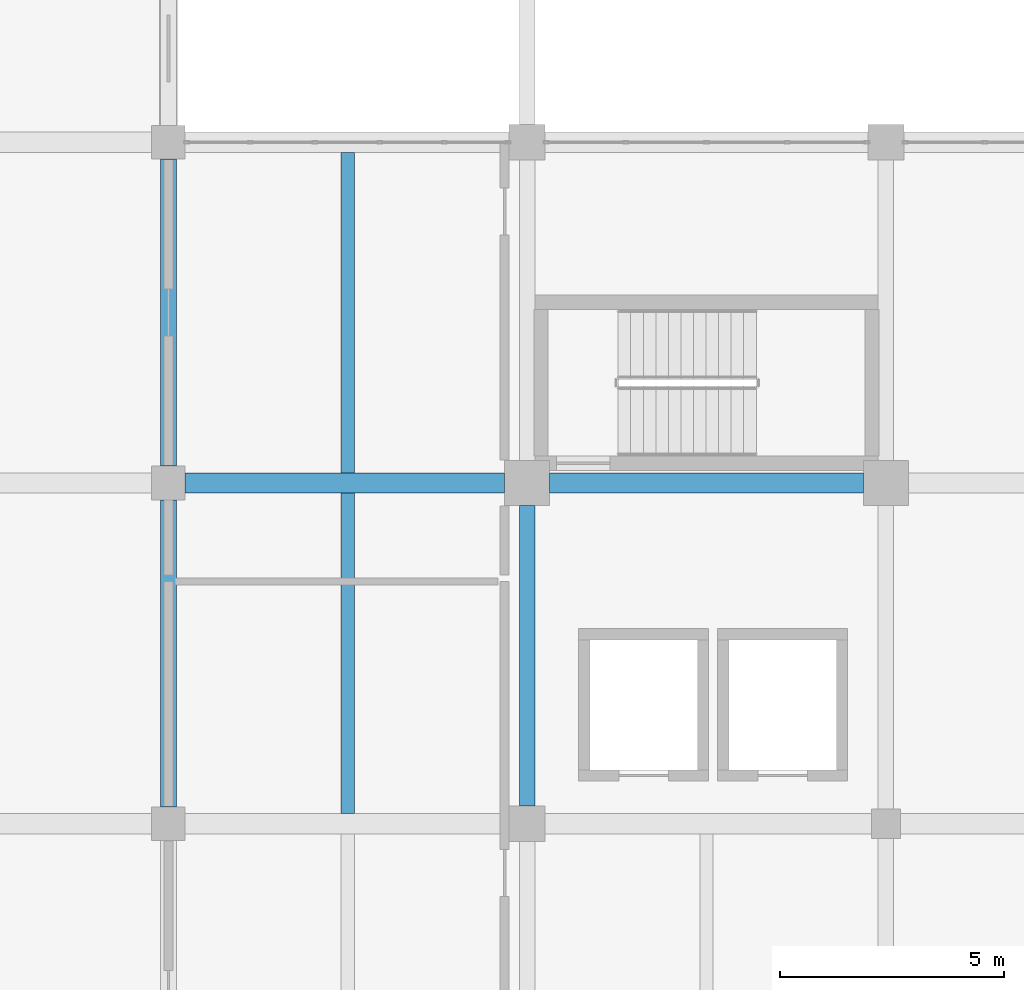
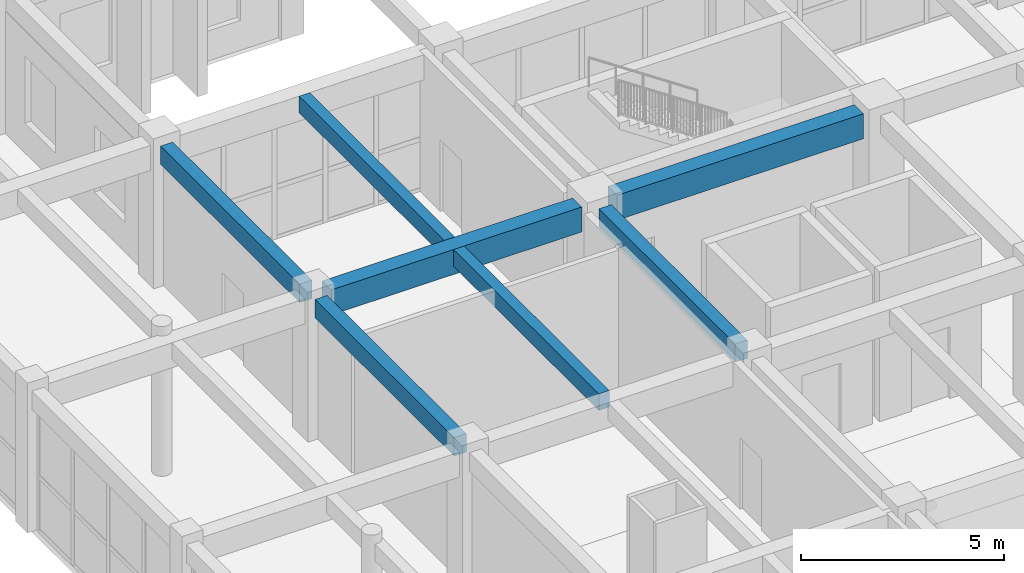
# One storey, part 19 of 79: 7 beams.
"""IFC4 building model written with IfcOpenShell, lengths in metres."""

from ifc_helpers import new_model, si_unit, direction, frame, origin, origin_2d, place, context, subcontext, project, spatial, rectangle, extrude, material, material_profile, profile_set, type_object, element, save


model = new_model("IFC4")

# Units and contexts
model_context = context("Model", 3, precision=1e-05, world=origin(), true_north=direction((0.0, 1.0)))
body_context = subcontext(model_context, "Body", "Model", "MODEL_VIEW")
ifc_project = project(units=[si_unit("LENGTHUNIT", "METRE"), si_unit("AREAUNIT", "SQUARE_METRE"), si_unit("VOLUMEUNIT", "CUBIC_METRE"), si_unit("PLANEANGLEUNIT", "RADIAN"), si_unit("MASSUNIT", "GRAM", prefix="KILO")], contexts=[model_context])

# Site, building, storey
site_placement = place(None, origin())
site = spatial("IfcSite", under=ifc_project, at=site_placement, CompositionType="ELEMENT")
building_placement = place(site_placement, origin())
building = spatial("IfcBuilding", under=site, at=building_placement, Name="Zantavel Square City Hall", CompositionType="ELEMENT")
storey_placement = place(building_placement, frame((0.0, 0.0, 10.199951171875)))
storey = spatial("IfcBuildingStorey", under=building, at=storey_placement, Name="L03", CompositionType="ELEMENT", Elevation=10.199951171875)

# Beams
ifc_material = material(Name="Concrete C35/45", Category="concrete")
ifc_material_profile_1 = material_profile(ifc_material, rectangle(XDim=0.300048828125, YDim=0.5, at=origin_2d()), Name="RC 300x500")
ifc_profile_set_1 = profile_set([ifc_material_profile_1], Name="Concrete C35/45")
beam_type_1 = type_object("IfcBeamType", Name="Floor Joist RC 300x500 C35/45", PredefinedType="JOIST", material=ifc_profile_set_1)
beam_1_placement = place(storey_placement, frame((60.0, 53.425048828125, 3.969970703125), z_axis=(0.0, 1.0, 0.0), x_axis=(-1.0, 0.0, 0.0)))
element("IfcBeam", 1, at=beam_1_placement, inside=storey, type_object=beam_type_1, Name="L03 Floor Joist JST-L03-0600-0532", PredefinedType="JOIST", context=body_context, shape_type="SweptSolid", body=[
    extrude(rectangle(XDim=0.300048828125, YDim=0.5, at=origin_2d()), origin(), (0.0, 0.0, 1.0), 7.14990234375),
])
beam_2_placement = place(storey_placement, frame((60.0, 61.02490234375, 3.969970703125), z_axis=(0.0, 1.0, 0.0), x_axis=(-1.0, 0.0, 0.0)))
element("IfcBeam", 2, at=beam_2_placement, inside=storey, type_object=beam_type_1, Name="L03 Floor Joist JST-L03-0600-0608", PredefinedType="JOIST", context=body_context, shape_type="SweptSolid", body=[
    extrude(rectangle(XDim=0.300048828125, YDim=0.5, at=origin_2d()), origin(), (0.0, 0.0, 1.0), 7.150146484375),
])
ifc_material_profile_2 = material_profile(ifc_material, rectangle(XDim=0.449951171875, YDim=0.75, at=origin_2d()), Name="RC 450x750")
ifc_profile_set_2 = profile_set([ifc_material_profile_2], Name="Concrete C35/45")
beam_type_2 = type_object("IfcBeamType", Name="Primary Girder RC 450x750 C35/45", PredefinedType="BEAM", material=ifc_profile_set_2)
beam_3_placement = place(storey_placement, frame((56.375, 60.800048828125, 3.844970703125), z_axis=(1.0, 0.0, 0.0), x_axis=(0.0, 1.0, 0.0)))
element("IfcBeam", 3, at=beam_3_placement, inside=storey, type_object=beam_type_2, Name="L03 Girder BMX-L03-0560-0608", PredefinedType="BEAM", context=body_context, shape_type="SweptSolid", body=[
    extrude(rectangle(XDim=0.449951171875, YDim=0.75, at=origin_2d()), origin(), (0.0, 0.0, 1.0), 7.125),
])
beam_4_placement = place(storey_placement, frame((64.5, 60.800048828125, 3.844970703125), z_axis=(1.0, 0.0, 0.0), x_axis=(0.0, 1.0, 0.0)))
element("IfcBeam", 4, at=beam_4_placement, inside=storey, type_object=beam_type_2, Name="L03 Girder BMX-L03-0640-0608", PredefinedType="BEAM", context=body_context, shape_type="SweptSolid", body=[
    extrude(rectangle(XDim=0.449951171875, YDim=0.75, at=origin_2d()), origin(), (0.0, 0.0, 1.0), 7.0),
])
ifc_material_profile_3 = material_profile(ifc_material, rectangle(XDim=0.35009765625, YDim=0.550048828125, at=origin_2d()), Name="RC 350x550")
ifc_profile_set_3 = profile_set([ifc_material_profile_3], Name="Concrete C35/45")
beam_type_3 = type_object("IfcBeamType", Name="Secondary Beam RC 350x550 C35/45", PredefinedType="BEAM", material=ifc_profile_set_3)
beam_5_placement = place(storey_placement, frame((56.0, 53.574951171875, 3.945068359375), z_axis=(0.0, 1.0, 0.0), x_axis=(-1.0, 0.0, 0.0)))
element("IfcBeam", 5, at=beam_5_placement, inside=storey, type_object=beam_type_3, Name="L03 Beam BMY-L03-0560-0532", PredefinedType="BEAM", context=body_context, shape_type="SweptSolid", body=[
    extrude(rectangle(XDim=0.35009765625, YDim=0.550048828125, at=origin_2d()), origin(), (0.0, 0.0, 1.0), 6.85009765625),
])
beam_6_placement = place(storey_placement, frame((56.0, 61.175048828125, 3.945068359375), z_axis=(0.0, 1.0, 0.0), x_axis=(-1.0, 0.0, 0.0)))
element("IfcBeam", 6, at=beam_6_placement, inside=storey, type_object=beam_type_3, Name="L03 Beam BMY-L03-0560-0608", PredefinedType="BEAM", context=body_context, shape_type="SweptSolid", body=[
    extrude(rectangle(XDim=0.35009765625, YDim=0.550048828125, at=origin_2d()), origin(), (0.0, 0.0, 1.0), 6.849853515625),
])
beam_7_placement = place(storey_placement, frame((64.0, 53.60009765625, 3.945068359375), z_axis=(0.0, 1.0, 0.0), x_axis=(-1.0, 0.0, 0.0)))
element("IfcBeam", 7, at=beam_7_placement, inside=storey, type_object=beam_type_3, Name="L03 Beam BMY-L03-0640-0532", PredefinedType="BEAM", context=body_context, shape_type="SweptSolid", body=[
    extrude(rectangle(XDim=0.35009765625, YDim=0.550048828125, at=origin_2d()), origin(), (0.0, 0.0, 1.0), 6.699951171875),
])

save(model, "model.ifc")
